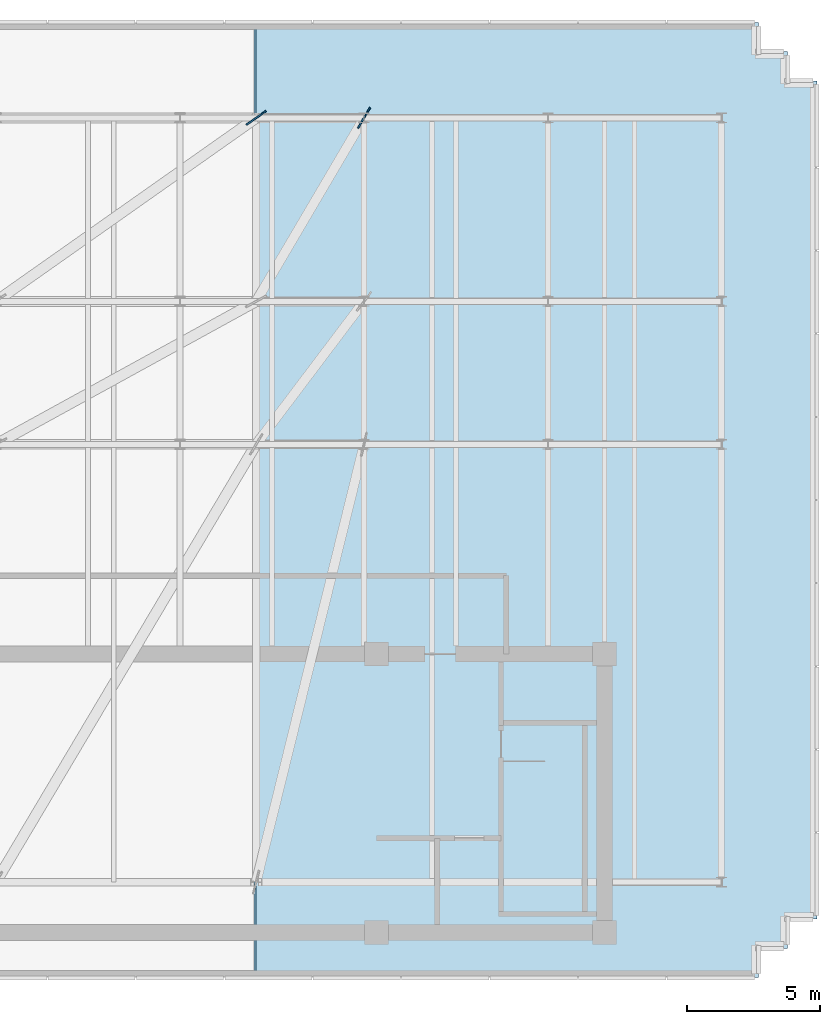
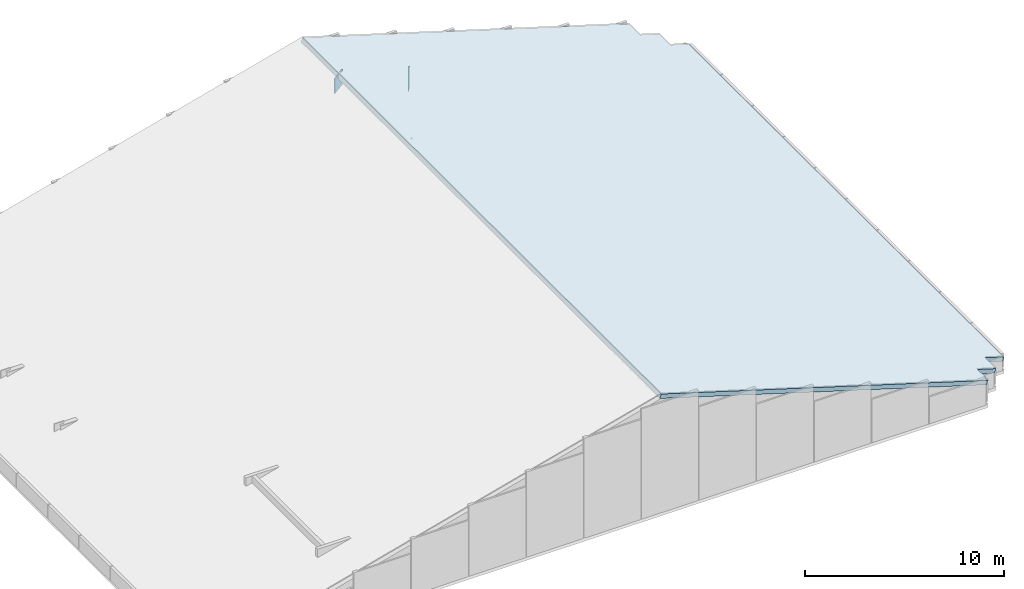
# One storey, part 3 of 6: 2 plates, 1 slab.
"""IFC4 building model written with IfcOpenShell, lengths in metres."""

from ifc_helpers import new_model, si_unit, direction, frame, origin, origin_2d, place, context, subcontext, project, spatial, polyline, rectangle, outline, extrude, material, layer, layer_set, type_object, element, save


model = new_model("IFC4")

# Units and contexts
model_context = context("Model", 3, precision=1e-05, world=origin(), true_north=direction((0.0, 1.0)))
body_context = subcontext(model_context, "Body", "Model", "MODEL_VIEW")
ifc_project = project(units=[si_unit("LENGTHUNIT", "METRE"), si_unit("AREAUNIT", "SQUARE_METRE"), si_unit("VOLUMEUNIT", "CUBIC_METRE"), si_unit("PLANEANGLEUNIT", "RADIAN"), si_unit("MASSUNIT", "GRAM", prefix="KILO")], contexts=[model_context])

# Site, building, storey
site_placement = place(None, origin())
site = spatial("IfcSite", under=ifc_project, at=site_placement, CompositionType="ELEMENT")
building_placement = place(site_placement, origin())
building = spatial("IfcBuilding", under=site, at=building_placement, Name="Solmavex Isthmus Hotel", CompositionType="ELEMENT")
storey_placement = place(building_placement, frame((0.0, 0.0, 308.39990234375)))
storey = spatial("IfcBuildingStorey", under=building, at=storey_placement, Name="Roof", CompositionType="ELEMENT", Elevation=308.39990234375)

# Plates
ifc_material_1 = material(Name="Steel ASTM A572 Grade 50", Category="steel")
ifc_layer_1 = layer(ifc_material_1, 0.06005859375)
ifc_layer_set_1 = layer_set([ifc_layer_1], Name="Steel ASTM A572 Grade 50")
plate_type = type_object("IfcPlateType", Name="PLT-GUSSET-60", PredefinedType="USERDEFINED", material=ifc_layer_set_1)
for number, where, z_axis, x_axis, name in (
    (1, (2.870849609375, 17.699951171875, 6.24951171875), (0.0, 0.0, 1.0), (0.817376227253, 0.576104246749, 0.0), "Crown Brace Gusset Plate 009"),
    (2, (6.93603515625, 17.699951171875, 4.98388671875), (0.0, 0.0, 1.0), (0.506966797278, 0.861965583105, 0.0), "Crown Strut Gusset Plate 010"),
):
    element("IfcPlate", number, at=place(storey_placement, frame(where, z_axis=z_axis, x_axis=x_axis)), inside=storey, type_object=plate_type, Name=name, ObjectType="GUSSET_PLATE", PredefinedType="USERDEFINED", context=body_context, shape_type="SweptSolid", body=[
        extrude(rectangle(XDim=0.89990234375, YDim=0.06005859375, at=origin_2d()), origin(), (0.0, 0.0, 1.0), 0.89990234375),
    ])

# Slab
ifc_material_2 = material(Name="Concrete C40/50", Category="concrete")
ifc_layer_2 = layer(ifc_material_2, 0.260009765625)
ifc_layer_set_2 = layer_set([ifc_layer_2], Name="Concrete C40/50")
slab_type = type_object("IfcSlabType", Name="SLAB-ROOF-260", PredefinedType="ROOF", material=ifc_layer_set_2)
slab_placement = place(storey_placement, frame((2.870849609375, 21.300048828125, 7.2001953125), z_axis=(0.292376922169, 0.0, 0.956303160814), x_axis=(0.0, -1.0, 0.0)))
element("IfcSlab", 3, at=slab_placement, inside=storey, type_object=slab_type, Name="Sloped Crown Roof Slab East", PredefinedType="ROOF", context=body_context, shape_type="SweptSolid", body=[
    extrude(outline(polyline([(0.0, 0.0), (36.0, 0.0), (36.0, 18.64375165263604), (36.0, 19.794141652972247), (34.900146484375, 19.794141652972247), (34.900146484375, 20.94422679977256), (33.800048828125, 20.94422679977256), (33.800048828125, 22.094616800108763), (32.699951171875, 22.094616800108763), (3.300048828125, 22.094616800108763), (2.199951171875, 22.094616800108763), (2.199951171875, 20.94422679977256), (1.10009765625, 20.94422679977256), (1.10009765625, 19.794141652972247), (0.0, 19.794141652972247), (0.0, 18.64375165263604), (0.0, 0.0)])), origin(), (0.0, 0.0, -1.0), 0.260009765625),
])

save(model, "model.ifc")
